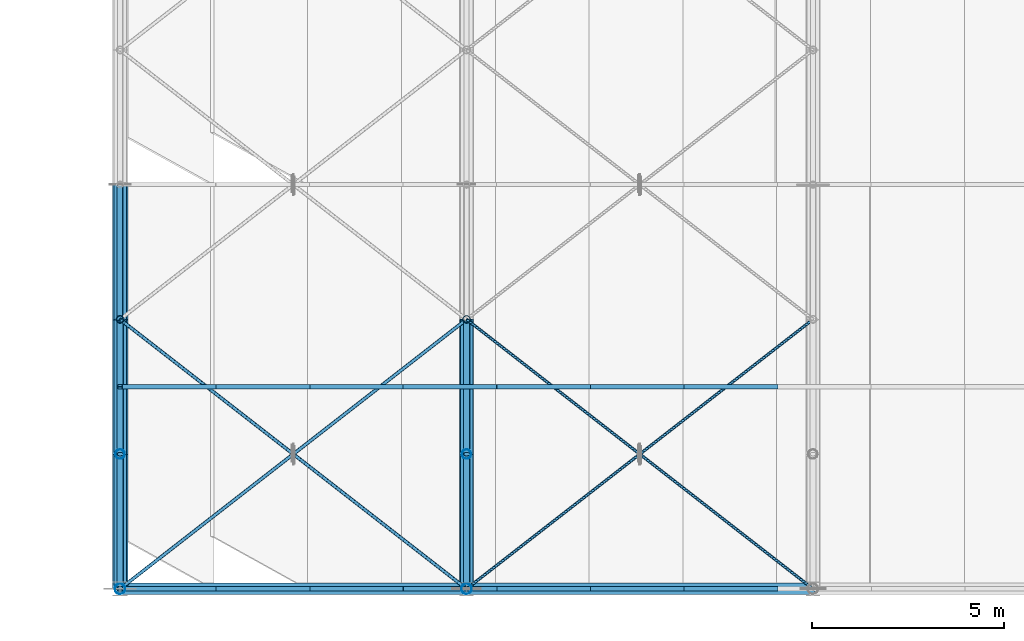
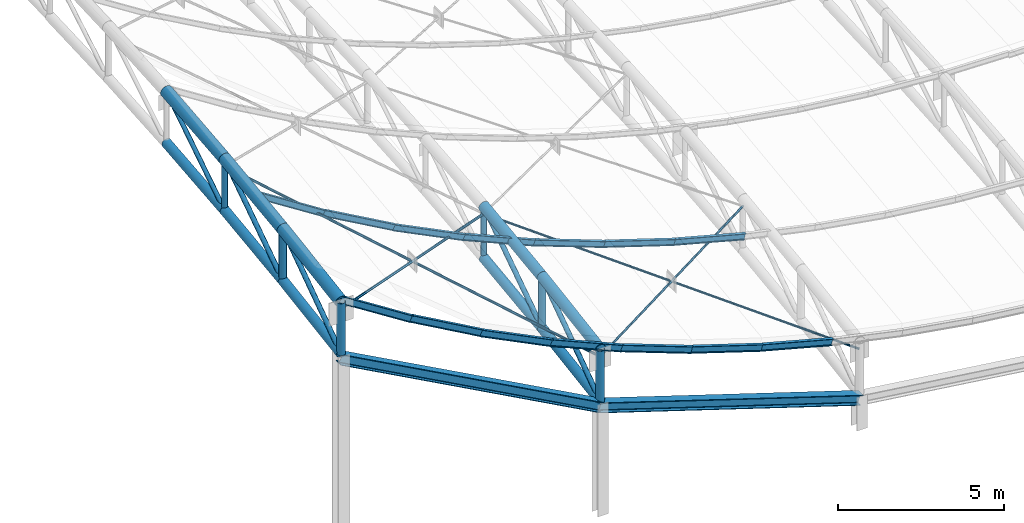
# One storey, part 17 of 262: 41 members, 2 beams.
"""IFC4 building model written with IfcOpenShell, lengths in metres."""

from ifc_helpers import new_model, si_unit, derived_unit, direction, frame, origin, origin_2d, place, context, subcontext, project, spatial, hollow_circle, i_section, extrude, material, material_profile, profile_set, type_object, element, save


model = new_model("IFC4")

# Units and contexts
model_context = context("Model", 3, precision=1e-05, world=origin(), true_north=direction((0.0, 1.0)))
body_context = subcontext(model_context, "Body", "Model", "MODEL_VIEW")
ifc_project = project(units=[si_unit("LENGTHUNIT", "METRE"), si_unit("AREAUNIT", "SQUARE_METRE"), si_unit("VOLUMEUNIT", "CUBIC_METRE"), si_unit("PLANEANGLEUNIT", "RADIAN"), si_unit("MASSUNIT", "GRAM", prefix="KILO"), derived_unit("THERMALTRANSMITTANCEUNIT", [(si_unit("POWERUNIT", "WATT"), 1), (si_unit("LENGTHUNIT", "METRE"), -2), (si_unit("THERMODYNAMICTEMPERATUREUNIT", "KELVIN"), -1)])], contexts=[model_context])

# Site, building, storey
site_placement = place(None, origin())
site = spatial("IfcSite", under=ifc_project, at=site_placement, CompositionType="ELEMENT")
building_placement = place(site_placement, origin())
building = spatial("IfcBuilding", under=site, at=building_placement, Name="Almenara Railside Exhibition Hall", CompositionType="ELEMENT")
storey_placement = place(building_placement, frame((0.0, 0.0, 21.699951171875)))
storey = spatial("IfcBuildingStorey", under=building, at=storey_placement, Name="RF", CompositionType="ELEMENT", Elevation=21.699951171875)

# Members
ifc_material = material(Name="Structural steel S355JR", Category="steel")
ifc_material_profile_1 = material_profile(ifc_material, hollow_circle(Radius=0.04443359375, WallThickness=0.00390625, at=origin_2d()), Name="CHS 88.9x4")
ifc_profile_set_1 = profile_set([ifc_material_profile_1], Name="Structural steel S355JR")
member_type_1 = type_object("IfcMemberType", Name="Canopy Tie Brace CHS 88.9x4 S355JR", PredefinedType="BRACE", material=ifc_profile_set_1)
member_1_placement = place(storey_placement, frame((3.0, 0.0, 0.6201171875), z_axis=(0.746885327861, 0.580910810559, -0.323581422832), x_axis=(-0.613940613515, 0.789352217376, 0.0)))
element("IfcMember", 1, at=member_1_placement, inside=storey, type_object=member_type_1, Name="MEM-WB-V4-WB-CHS89-00-00-C", PredefinedType="BRACE", context=body_context, shape_type="SweptSolid", body=[
    extrude(hollow_circle(Radius=0.04443359375, WallThickness=0.00390625, at=origin_2d()), origin(), (0.0, 0.0, 1.0), 12.050048828125),
])
for number, where, z_axis, x_axis, name in (
    (2, (3.0, 7.0, 1.6201171875), (0.701064482229, -0.545276633311, -0.459545411163), (0.613943600844, 0.789349893889, 0.0), "MEM-WB-V4-WB-CHS89-00-00-S1"),
    (3, (7.533935546875, 3.4736328125, -1.351806640625), (0.701076828983, -0.545286236417, -0.45951517955), (0.613943600844, 0.789349893889, 0.0), "MEM-WB-V4-WB-CHS89-00-00-S2"),
):
    element("IfcMember", number, at=place(storey_placement, frame(where, z_axis=z_axis, x_axis=x_axis)), inside=storey, type_object=member_type_1, Name=name, PredefinedType="BRACE", context=body_context, shape_type="SweptSolid", body=[
        extrude(hollow_circle(Radius=0.04443359375, WallThickness=0.00390625, at=origin_2d()), origin(), (0.0, 0.0, 1.0), 6.370361328125),
    ])
ifc_material_profile_2 = material_profile(ifc_material, i_section(OverallWidth=0.110107421875, OverallDepth=0.219970703125, WebThickness=0.005859375, FlangeThickness=0.00927734375, FilletRadius=0.011962890625, at=origin_2d()), Name="IPE 220")
ifc_profile_set_2 = profile_set([ifc_material_profile_2], Name="Structural steel S355JR")
member_type_2 = type_object("IfcMemberType", Name="Heavy Hall Roof Purlin IPE 220 S355JR", PredefinedType="PURLIN", material=ifc_profile_set_2)
member_2_placement = place(storey_placement, frame((3.0, 5.25, 1.6611328125), z_axis=(0.842226955435, 0.0, -0.539123135785), x_axis=(0.0, 1.0, 0.0)))
element("IfcMember", 4, at=member_2_placement, inside=storey, type_object=member_type_2, Name="MEM-PR-V4-PR-IPE220-01-00", PredefinedType="PURLIN", context=body_context, shape_type="SweptSolid", body=[
    extrude(i_section(OverallWidth=0.110107421875, OverallDepth=0.219970703125, WebThickness=0.005859375, FlangeThickness=0.00927734375, FilletRadius=0.011962890625, at=origin_2d()), origin(), (0.0, 0.0, 1.0), 2.893310546875),
])
member_3_placement = place(storey_placement, frame((5.436767578125, 5.25, 0.112548828125), z_axis=(0.870483227181, 0.0, -0.492198081261), x_axis=(0.0, 1.0, 0.0)))
element("IfcMember", 5, at=member_3_placement, inside=storey, type_object=member_type_2, Name="MEM-PR-V4-PR-IPE220-01-01", PredefinedType="PURLIN", context=body_context, shape_type="SweptSolid", body=[
    extrude(i_section(OverallWidth=0.110107421875, OverallDepth=0.219970703125, WebThickness=0.005859375, FlangeThickness=0.00927734375, FilletRadius=0.011962890625, at=origin_2d()), origin(), (0.0, 0.0, 1.0), 2.799072265625),
])
member_4_placement = place(storey_placement, frame((7.873291015625, 5.25, -1.272705078125), z_axis=(0.895376074457, 0.0, -0.445310773831), x_axis=(0.0, 1.0, 0.0)))
element("IfcMember", 6, at=member_4_placement, inside=storey, type_object=member_type_2, Name="MEM-PR-V4-PR-IPE220-01-02", PredefinedType="PURLIN", context=body_context, shape_type="SweptSolid", body=[
    extrude(i_section(OverallWidth=0.110107421875, OverallDepth=0.219970703125, WebThickness=0.005859375, FlangeThickness=0.00927734375, FilletRadius=0.011962890625, at=origin_2d()), origin(), (0.0, 0.0, 1.0), 2.721435546875),
])
member_5_placement = place(storey_placement, frame((10.31005859375, 5.25, -2.4765625), z_axis=(0.917189812532, 0.0, -0.398450558775), x_axis=(0.0, 1.0, 0.0)))
element("IfcMember", 7, at=member_5_placement, inside=storey, type_object=member_type_2, Name="MEM-PR-V4-PR-IPE220-01-03", PredefinedType="PURLIN", context=body_context, shape_type="SweptSolid", body=[
    extrude(i_section(OverallWidth=0.110107421875, OverallDepth=0.219970703125, WebThickness=0.005859375, FlangeThickness=0.00927734375, FilletRadius=0.011962890625, at=origin_2d()), origin(), (0.0, 0.0, 1.0), 2.65673828125),
])
member_6_placement = place(storey_placement, frame((12.746826171875, 5.25, -3.5283203125), z_axis=(0.936171044044, 0.0, -0.351544842508), x_axis=(0.0, 1.0, 0.0)))
element("IfcMember", 8, at=member_6_placement, inside=storey, type_object=member_type_2, Name="MEM-PR-V4-PR-IPE220-01-04", PredefinedType="PURLIN", context=body_context, shape_type="SweptSolid", body=[
    extrude(i_section(OverallWidth=0.110107421875, OverallDepth=0.219970703125, WebThickness=0.005859375, FlangeThickness=0.00927734375, FilletRadius=0.011962890625, at=origin_2d()), origin(), (0.0, 0.0, 1.0), 2.60302734375),
])
member_7_placement = place(storey_placement, frame((15.18359375, 5.25, -4.437744140625), z_axis=(0.952440767254, 0.0, -0.304723784553), x_axis=(0.0, 1.0, 0.0)))
element("IfcMember", 9, at=member_7_placement, inside=storey, type_object=member_type_2, Name="MEM-PR-V4-PR-IPE220-01-05", PredefinedType="PURLIN", context=body_context, shape_type="SweptSolid", body=[
    extrude(i_section(OverallWidth=0.110107421875, OverallDepth=0.219970703125, WebThickness=0.005859375, FlangeThickness=0.00927734375, FilletRadius=0.011962890625, at=origin_2d()), origin(), (0.0, 0.0, 1.0), 2.55810546875),
])
member_8_placement = place(storey_placement, frame((17.6201171875, 5.25, -5.212646484375), z_axis=(0.966201190487, 0.0, -0.257789176462), x_axis=(0.0, 1.0, 0.0)))
element("IfcMember", 10, at=member_8_placement, inside=storey, type_object=member_type_2, Name="MEM-PR-V4-PR-IPE220-01-06", PredefinedType="PURLIN", context=body_context, shape_type="SweptSolid", body=[
    extrude(i_section(OverallWidth=0.110107421875, OverallDepth=0.219970703125, WebThickness=0.005859375, FlangeThickness=0.00927734375, FilletRadius=0.011962890625, at=origin_2d()), origin(), (0.0, 0.0, 1.0), 2.52197265625),
])
ifc_material_profile_3 = material_profile(ifc_material, hollow_circle(Radius=0.0380859375, WallThickness=0.003662109375, at=origin_2d()), Name="CHS 76.1x3.6")
ifc_profile_set_3 = profile_set([ifc_material_profile_3], Name="Structural steel S355JR")
member_type_3 = type_object("IfcMemberType", Name="Lantern Cross-Tie Brace CHS 76.1x3.6 S355JR", PredefinedType="BRACE", material=ifc_profile_set_3)
member_9_placement = place(storey_placement, frame((12.0, 0.0, -4.279052734375), z_axis=(0.778927955541, 0.60583285431, -0.161980840581), x_axis=(-0.613940613515, 0.789352217376, 0.0)))
element("IfcMember", 11, at=member_9_placement, inside=storey, type_object=member_type_3, Name="MEM-WB-V4-WB-CHS76-01-00-C", PredefinedType="BRACE", context=body_context, shape_type="SweptSolid", body=[
    extrude(hollow_circle(Radius=0.0380859375, WallThickness=0.003662109375, at=origin_2d()), origin(), (0.0, 0.0, 1.0), 11.554443359375),
])
for number, where, z_axis, x_axis, name in (
    (12, (12.0, 7.0, -3.279052734375), (0.747436354234, -0.581352998901, -0.321508300108), (0.613949570528, 0.789345250729, 0.0), "MEM-WB-V4-WB-CHS76-01-00-S1"),
    (13, (16.531494140625, 3.4755859375, -5.228271484375), (0.74742654043, -0.581345365763, -0.321544915006), (0.613949570528, 0.789345250729, 0.0), "MEM-WB-V4-WB-CHS76-01-00-S2"),
):
    element("IfcMember", number, at=place(storey_placement, frame(where, z_axis=z_axis, x_axis=x_axis)), inside=storey, type_object=member_type_3, Name=name, PredefinedType="BRACE", context=body_context, shape_type="SweptSolid", body=[
        extrude(hollow_circle(Radius=0.0380859375, WallThickness=0.003662109375, at=origin_2d()), origin(), (0.0, 0.0, 1.0), 5.978515625),
    ])
ifc_material_profile_4 = material_profile(ifc_material, hollow_circle(Radius=0.203125, WallThickness=0.012451171875, at=origin_2d()), Name="CHS 406.4x12.5")
ifc_profile_set_4 = profile_set([ifc_material_profile_4], Name="Structural steel S355JR")
member_type_4 = type_object("IfcMemberType", Name="Plenary Gable Top Chord CHS 406.4x12.5 S355JR", PredefinedType="CHORD", material=ifc_profile_set_4)
member_10_placement = place(storey_placement, frame((3.0, 0.0, 0.900146484375), z_axis=(0.0, 0.987885578074, 0.155184034725), x_axis=(-1.0, 0.0, 0.0)))
element("IfcMember", 14, at=member_10_placement, inside=storey, type_object=member_type_4, Name="MEM-TC-V4-00-00", PredefinedType="CHORD", context=body_context, shape_type="SweptSolid", body=[
    extrude(hollow_circle(Radius=0.203125, WallThickness=0.012451171875, at=origin_2d()), origin(), (0.0, 0.0, 1.0), 3.54296875),
])
member_11_placement = place(storey_placement, frame((3.0, 3.5, 1.449951171875), z_axis=(0.0, 0.991828773415, 0.127576189884), x_axis=(-1.0, 0.0, 0.0)))
element("IfcMember", 15, at=member_11_placement, inside=storey, type_object=member_type_4, Name="MEM-TC-V4-00-01", PredefinedType="CHORD", context=body_context, shape_type="SweptSolid", body=[
    extrude(hollow_circle(Radius=0.203125, WallThickness=0.012451171875, at=origin_2d()), origin(), (0.0, 0.0, 1.0), 3.52880859375),
])
member_12_placement = place(storey_placement, frame((3.0, 7.0, 1.900146484375), z_axis=(0.0, 0.995041312637, 0.09946248612), x_axis=(-1.0, 0.0, 0.0)))
element("IfcMember", 16, at=member_12_placement, inside=storey, type_object=member_type_4, Name="MEM-TC-V4-00-02", PredefinedType="CHORD", context=body_context, shape_type="SweptSolid", body=[
    extrude(hollow_circle(Radius=0.203125, WallThickness=0.012451171875, at=origin_2d()), origin(), (0.0, 0.0, 1.0), 3.517333984375),
])
ifc_material_profile_5 = material_profile(ifc_material, hollow_circle(Radius=0.161865234375, WallThickness=0.010009765625, at=origin_2d()), Name="CHS 323.9x10")
ifc_profile_set_5 = profile_set([ifc_material_profile_5], Name="Structural steel S355JR")
member_type_5 = type_object("IfcMemberType", Name="Plenary Truss Bottom Chord CHS 323.9x10 S355JR", PredefinedType="CHORD", material=ifc_profile_set_5)
member_13_placement = place(storey_placement, frame((3.0, 0.0, -1.0), z_axis=(0.0, 0.987875011802, 0.155251283593), x_axis=(-1.0, 0.0, 0.0)))
element("IfcMember", 17, at=member_13_placement, inside=storey, type_object=member_type_5, Name="MEM-BC-V4-00-00", PredefinedType="CHORD", context=body_context, shape_type="SweptSolid", body=[
    extrude(hollow_circle(Radius=0.161865234375, WallThickness=0.010009765625, at=origin_2d()), origin(), (0.0, 0.0, 1.0), 3.54296875),
])
member_14_placement = place(storey_placement, frame((3.0, 3.5, -0.449951171875), z_axis=(0.0, 0.991837525329, 0.127508130523), x_axis=(-1.0, 0.0, 0.0)))
element("IfcMember", 18, at=member_14_placement, inside=storey, type_object=member_type_5, Name="MEM-BC-V4-00-01", PredefinedType="CHORD", context=body_context, shape_type="SweptSolid", body=[
    extrude(hollow_circle(Radius=0.161865234375, WallThickness=0.010009765625, at=origin_2d()), origin(), (0.0, 0.0, 1.0), 3.52880859375),
])
member_15_placement = place(storey_placement, frame((3.0, 7.0, 0.0), z_axis=(0.0, 0.995034440995, 0.099531207337), x_axis=(-1.0, 0.0, 0.0)))
element("IfcMember", 19, at=member_15_placement, inside=storey, type_object=member_type_5, Name="MEM-BC-V4-00-02", PredefinedType="CHORD", context=body_context, shape_type="SweptSolid", body=[
    extrude(hollow_circle(Radius=0.161865234375, WallThickness=0.010009765625, at=origin_2d()), origin(), (0.0, 0.0, 1.0), 3.517578125),
])
member_16_placement = place(storey_placement, frame((12.0, 0.0, -5.899169921875), z_axis=(0.0, 0.987875011802, 0.155251283593), x_axis=(-1.0, 0.0, 0.0)))
element("IfcMember", 20, at=member_16_placement, inside=storey, type_object=member_type_5, Name="MEM-BC-V4-01-00", PredefinedType="CHORD", context=body_context, shape_type="SweptSolid", body=[
    extrude(hollow_circle(Radius=0.161865234375, WallThickness=0.010009765625, at=origin_2d()), origin(), (0.0, 0.0, 1.0), 3.54296875),
])
member_17_placement = place(storey_placement, frame((12.0, 3.5, -5.34912109375), z_axis=(0.0, 0.991837525329, 0.127508130523), x_axis=(-1.0, 0.0, 0.0)))
element("IfcMember", 21, at=member_17_placement, inside=storey, type_object=member_type_5, Name="MEM-BC-V4-01-01", PredefinedType="CHORD", context=body_context, shape_type="SweptSolid", body=[
    extrude(hollow_circle(Radius=0.161865234375, WallThickness=0.010009765625, at=origin_2d()), origin(), (0.0, 0.0, 1.0), 3.52880859375),
])
ifc_material_profile_6 = material_profile(ifc_material, hollow_circle(Radius=0.177734375, WallThickness=0.012451171875, at=origin_2d()), Name="CHS 355.6x12.5")
ifc_profile_set_6 = profile_set([ifc_material_profile_6], Name="Structural steel S355JR")
member_type_6 = type_object("IfcMemberType", Name="Plenary Truss Top Chord CHS 355.6x12.5 S355JR", PredefinedType="CHORD", material=ifc_profile_set_6)
member_18_placement = place(storey_placement, frame((12.0, 0.0, -3.9990234375), z_axis=(0.0, 0.987875011802, 0.155251283593), x_axis=(-1.0, 0.0, 0.0)))
element("IfcMember", 22, at=member_18_placement, inside=storey, type_object=member_type_6, Name="MEM-TC-V4-01-00", PredefinedType="CHORD", context=body_context, shape_type="SweptSolid", body=[
    extrude(hollow_circle(Radius=0.177734375, WallThickness=0.012451171875, at=origin_2d()), origin(), (0.0, 0.0, 1.0), 3.54296875),
])
member_19_placement = place(storey_placement, frame((12.0, 3.5, -3.448974609375), z_axis=(0.0, 0.991837525329, 0.127508130523), x_axis=(-1.0, 0.0, 0.0)))
element("IfcMember", 23, at=member_19_placement, inside=storey, type_object=member_type_6, Name="MEM-TC-V4-01-01", PredefinedType="CHORD", context=body_context, shape_type="SweptSolid", body=[
    extrude(hollow_circle(Radius=0.177734375, WallThickness=0.012451171875, at=origin_2d()), origin(), (0.0, 0.0, 1.0), 3.52880859375),
])
ifc_material_profile_7 = material_profile(ifc_material, i_section(OverallWidth=0.1201171875, OverallDepth=0.239990234375, WebThickness=0.006103515625, FlangeThickness=0.009765625, FilletRadius=0.014892578125, at=origin_2d()), Name="IPE 240")
ifc_profile_set_7 = profile_set([ifc_material_profile_7], Name="Structural steel S355JR")
member_type_7 = type_object("IfcMemberType", Name="Scroll Roof Purlin IPE 240 S355JR", PredefinedType="PURLIN", material=ifc_profile_set_7)
member_20_placement = place(storey_placement, frame((3.0, 0.0, 0.970458984375), z_axis=(0.842265270347, 0.0, -0.53906327492), x_axis=(0.0, 1.0, 0.0)))
element("IfcMember", 24, at=member_20_placement, inside=storey, type_object=member_type_7, Name="MEM-PR-V4-PR-IPE240-00-00", PredefinedType="PURLIN", context=body_context, shape_type="SweptSolid", body=[
    extrude(i_section(OverallWidth=0.1201171875, OverallDepth=0.239990234375, WebThickness=0.006103515625, FlangeThickness=0.009765625, FilletRadius=0.014892578125, at=origin_2d()), origin(), (0.0, 0.0, 1.0), 2.89306640625),
])
member_21_placement = place(storey_placement, frame((5.436767578125, 0.0, -0.577392578125), z_axis=(0.870445855666, 0.0, -0.492264169277), x_axis=(0.0, 1.0, 0.0)))
element("IfcMember", 25, at=member_21_placement, inside=storey, type_object=member_type_7, Name="MEM-PR-V4-PR-IPE240-00-01", PredefinedType="PURLIN", context=body_context, shape_type="SweptSolid", body=[
    extrude(i_section(OverallWidth=0.1201171875, OverallDepth=0.239990234375, WebThickness=0.006103515625, FlangeThickness=0.009765625, FilletRadius=0.014892578125, at=origin_2d()), origin(), (0.0, 0.0, 1.0), 2.799072265625),
])
member_22_placement = place(storey_placement, frame((7.873291015625, 0.0, -1.962646484375), z_axis=(0.895376074457, 0.0, -0.445310773831), x_axis=(0.0, 1.0, 0.0)))
element("IfcMember", 26, at=member_22_placement, inside=storey, type_object=member_type_7, Name="MEM-PR-V4-PR-IPE240-00-02", PredefinedType="PURLIN", context=body_context, shape_type="SweptSolid", body=[
    extrude(i_section(OverallWidth=0.1201171875, OverallDepth=0.239990234375, WebThickness=0.006103515625, FlangeThickness=0.009765625, FilletRadius=0.014892578125, at=origin_2d()), origin(), (0.0, 0.0, 1.0), 2.721435546875),
])
member_23_placement = place(storey_placement, frame((10.31005859375, 0.0, -3.166015625), z_axis=(0.917189812532, 0.0, -0.398450558775), x_axis=(0.0, 1.0, 0.0)))
element("IfcMember", 27, at=member_23_placement, inside=storey, type_object=member_type_7, Name="MEM-PR-V4-PR-IPE240-00-03", PredefinedType="PURLIN", context=body_context, shape_type="SweptSolid", body=[
    extrude(i_section(OverallWidth=0.1201171875, OverallDepth=0.239990234375, WebThickness=0.006103515625, FlangeThickness=0.009765625, FilletRadius=0.014892578125, at=origin_2d()), origin(), (0.0, 0.0, 1.0), 2.65673828125),
])
member_24_placement = place(storey_placement, frame((12.746826171875, 0.0, -4.217529296875), z_axis=(0.936171044044, 0.0, -0.351544842508), x_axis=(0.0, 1.0, 0.0)))
element("IfcMember", 28, at=member_24_placement, inside=storey, type_object=member_type_7, Name="MEM-PR-V4-PR-IPE240-00-04", PredefinedType="PURLIN", context=body_context, shape_type="SweptSolid", body=[
    extrude(i_section(OverallWidth=0.1201171875, OverallDepth=0.239990234375, WebThickness=0.006103515625, FlangeThickness=0.009765625, FilletRadius=0.014892578125, at=origin_2d()), origin(), (0.0, 0.0, 1.0), 2.60302734375),
])
member_25_placement = place(storey_placement, frame((15.18359375, 0.0, -5.126708984375), z_axis=(0.952440767254, 0.0, -0.304723784553), x_axis=(0.0, 1.0, 0.0)))
element("IfcMember", 29, at=member_25_placement, inside=storey, type_object=member_type_7, Name="MEM-PR-V4-PR-IPE240-00-05", PredefinedType="PURLIN", context=body_context, shape_type="SweptSolid", body=[
    extrude(i_section(OverallWidth=0.1201171875, OverallDepth=0.239990234375, WebThickness=0.006103515625, FlangeThickness=0.009765625, FilletRadius=0.014892578125, at=origin_2d()), origin(), (0.0, 0.0, 1.0), 2.55810546875),
])
member_26_placement = place(storey_placement, frame((17.6201171875, 0.0, -5.901611328125), z_axis=(0.966201190487, 0.0, -0.257789176462), x_axis=(0.0, 1.0, 0.0)))
element("IfcMember", 30, at=member_26_placement, inside=storey, type_object=member_type_7, Name="MEM-PR-V4-PR-IPE240-00-06", PredefinedType="PURLIN", context=body_context, shape_type="SweptSolid", body=[
    extrude(i_section(OverallWidth=0.1201171875, OverallDepth=0.239990234375, WebThickness=0.006103515625, FlangeThickness=0.009765625, FilletRadius=0.014892578125, at=origin_2d()), origin(), (0.0, 0.0, 1.0), 2.52197265625),
])

# Beams
ifc_material_profile_8 = material_profile(ifc_material, i_section(OverallWidth=0.300048828125, OverallDepth=0.360107421875, WebThickness=0.012451171875, FlangeThickness=0.0224609375, FilletRadius=0.027099609375, at=origin_2d()), Name="HEB 360")
ifc_profile_set_8 = profile_set([ifc_material_profile_8], Name="Structural steel S355JR")
beam_type = type_object("IfcBeamType", Name="Steel Portal Girder HEB 360 S355JR", PredefinedType="USERDEFINED", material=ifc_profile_set_8)
beam_1_placement = place(storey_placement, frame((3.0, 0.0, -1.179931640625), z_axis=(0.878302261666, 0.0, -0.478105780296), x_axis=(0.0, 1.0, 0.0)))
element("IfcBeam", 31, at=beam_1_placement, inside=storey, type_object=beam_type, Name="Beam 0989", ObjectType="GIRDER", PredefinedType="USERDEFINED", context=body_context, shape_type="SweptSolid", body=[
    extrude(i_section(OverallWidth=0.300048828125, OverallDepth=0.360107421875, WebThickness=0.012451171875, FlangeThickness=0.0224609375, FilletRadius=0.027099609375, at=origin_2d()), origin(), (0.0, 0.0, 1.0), 10.2470703125),
])
beam_2_placement = place(storey_placement, frame((12.0, 0.0, -6.0791015625), z_axis=(0.952689944457, 0.0, -0.303943859504), x_axis=(0.0, 1.0, 0.0)))
element("IfcBeam", 32, at=beam_2_placement, inside=storey, type_object=beam_type, Name="Beam 0991", ObjectType="GIRDER", PredefinedType="USERDEFINED", context=body_context, shape_type="SweptSolid", body=[
    extrude(i_section(OverallWidth=0.300048828125, OverallDepth=0.360107421875, WebThickness=0.012451171875, FlangeThickness=0.0224609375, FilletRadius=0.027099609375, at=origin_2d()), origin(), (0.0, 0.0, 1.0), 9.447021484375),
])

# Members
ifc_material_profile_9 = material_profile(ifc_material, hollow_circle(Radius=0.084228515625, WallThickness=0.006103515625, at=origin_2d()), Name="CHS 168.3x6")
ifc_profile_set_9 = profile_set([ifc_material_profile_9], Name="Structural steel S355JR")
member_type_8 = type_object("IfcMemberType", Name="Truss End Diagonal CHS 168.3x6 S355JR", PredefinedType="BRACE", material=ifc_profile_set_9)
member_27_placement = place(storey_placement, frame((3.0, 0.0, -1.0), z_axis=(0.0, 0.819237289855, 0.573454673807), x_axis=(-1.0, 0.0, 0.0)))
element("IfcMember", 33, at=member_27_placement, inside=storey, type_object=member_type_8, Name="MEM-TD-V4-00-00", PredefinedType="BRACE", context=body_context, shape_type="SweptSolid", body=[
    extrude(hollow_circle(Radius=0.084228515625, WallThickness=0.006103515625, at=origin_2d()), origin(), (0.0, 0.0, 1.0), 4.272216796875),
])
member_28_placement = place(storey_placement, frame((3.0, 3.5, -0.449951171875), z_axis=(0.0, 0.830210410422, 0.557450154208), x_axis=(-1.0, 0.0, 0.0)))
element("IfcMember", 34, at=member_28_placement, inside=storey, type_object=member_type_8, Name="MEM-TD-V4-00-01", PredefinedType="BRACE", context=body_context, shape_type="SweptSolid", body=[
    extrude(hollow_circle(Radius=0.084228515625, WallThickness=0.006103515625, at=origin_2d()), origin(), (0.0, 0.0, 1.0), 4.2158203125),
])
member_29_placement = place(storey_placement, frame((12.0, 0.0, -5.899169921875), z_axis=(0.0, 0.819210443161, 0.573493025081), x_axis=(-1.0, 0.0, 0.0)))
element("IfcMember", 35, at=member_29_placement, inside=storey, type_object=member_type_8, Name="MEM-TD-V4-01-00", PredefinedType="BRACE", context=body_context, shape_type="SweptSolid", body=[
    extrude(hollow_circle(Radius=0.084228515625, WallThickness=0.006103515625, at=origin_2d()), origin(), (0.0, 0.0, 1.0), 4.2724609375),
])
member_30_placement = place(storey_placement, frame((12.0, 3.5, -5.34912109375), z_axis=(0.0, 0.830210410422, 0.557450154208), x_axis=(-1.0, 0.0, 0.0)))
element("IfcMember", 36, at=member_30_placement, inside=storey, type_object=member_type_8, Name="MEM-TD-V4-01-01", PredefinedType="BRACE", context=body_context, shape_type="SweptSolid", body=[
    extrude(hollow_circle(Radius=0.084228515625, WallThickness=0.006103515625, at=origin_2d()), origin(), (0.0, 0.0, 1.0), 4.2158203125),
])
ifc_material_profile_10 = material_profile(ifc_material, hollow_circle(Radius=0.122314453125, WallThickness=0.008056640625, at=origin_2d()), Name="CHS 244.5x8")
ifc_profile_set_10 = profile_set([ifc_material_profile_10], Name="Structural steel S355JR")
member_type_9 = type_object("IfcMemberType", Name="Truss Haunch Vertical Strut CHS 244.5x8 S355JR", PredefinedType="BRACE", material=ifc_profile_set_10)
member_31_placement = place(storey_placement, frame((3.0, 3.5, -0.449951171875), z_axis=(0.0, 0.0, 1.0), x_axis=(1.0, 0.0, 0.0)))
element("IfcMember", 37, at=member_31_placement, inside=storey, type_object=member_type_9, Name="MEM-TV-V4-00-01", PredefinedType="BRACE", context=body_context, shape_type="SweptSolid", body=[
    extrude(hollow_circle(Radius=0.122314453125, WallThickness=0.008056640625, at=origin_2d()), origin(), (0.0, 0.0, 1.0), 1.89990234375),
])
member_32_placement = place(storey_placement, frame((12.0, 3.5, -5.34912109375), z_axis=(0.0, 0.0, 1.0), x_axis=(1.0, 0.0, 0.0)))
element("IfcMember", 38, at=member_32_placement, inside=storey, type_object=member_type_9, Name="MEM-TV-V4-01-01", PredefinedType="BRACE", context=body_context, shape_type="SweptSolid", body=[
    extrude(hollow_circle(Radius=0.122314453125, WallThickness=0.008056640625, at=origin_2d()), origin(), (0.0, 0.0, 1.0), 1.900146484375),
])
ifc_material_profile_11 = material_profile(ifc_material, hollow_circle(Radius=0.076171875, WallThickness=0.0048828125, at=origin_2d()), Name="CHS 152.4x5")
ifc_profile_set_11 = profile_set([ifc_material_profile_11], Name="Structural steel S355JR")
member_type_10 = type_object("IfcMemberType", Name="Truss Mid Diagonal CHS 152.4x5 S355JR", PredefinedType="BRACE", material=ifc_profile_set_11)
member_33_placement = place(storey_placement, frame((3.0, 7.0, 0.0), z_axis=(0.0, 0.841178475377, 0.540757591313), x_axis=(-1.0, 0.0, 0.0)))
element("IfcMember", 39, at=member_33_placement, inside=storey, type_object=member_type_10, Name="MEM-TD-V4-00-02", PredefinedType="BRACE", context=body_context, shape_type="SweptSolid", body=[
    extrude(hollow_circle(Radius=0.076171875, WallThickness=0.0048828125, at=origin_2d()), origin(), (0.0, 0.0, 1.0), 4.160888671875),
])
ifc_material_profile_12 = material_profile(ifc_material, hollow_circle(Radius=0.096923828125, WallThickness=0.00634765625, at=origin_2d()), Name="CHS 193.7x6.3")
ifc_profile_set_12 = profile_set([ifc_material_profile_12], Name="Structural steel S355JR")
member_type_11 = type_object("IfcMemberType", Name="Truss Standard Vertical Strut CHS 193.7x6.3 S355JR", PredefinedType="BRACE", material=ifc_profile_set_12)
for number, where, z_axis, x_axis, name in (
    (40, (3.0, 7.0, 0.0), (0.0, 0.0, 1.0), (1.0, 0.0, 0.0), "MEM-TV-V4-00-02"),
    (41, (12.0, 7.0, -4.899169921875), (0.0, 0.0, 1.0), (1.0, 0.0, 0.0), "MEM-TV-V4-01-02"),
):
    element("IfcMember", number, at=place(storey_placement, frame(where, z_axis=z_axis, x_axis=x_axis)), inside=storey, type_object=member_type_11, Name=name, PredefinedType="BRACE", context=body_context, shape_type="SweptSolid", body=[
        extrude(hollow_circle(Radius=0.096923828125, WallThickness=0.00634765625, at=origin_2d()), origin(), (0.0, 0.0, 1.0), 1.900146484375),
    ])
ifc_material_profile_13 = material_profile(ifc_material, hollow_circle(Radius=0.136474609375, WallThickness=0.008056640625, at=origin_2d()), Name="CHS 273x8")
ifc_profile_set_13 = profile_set([ifc_material_profile_13], Name="Structural steel S355JR")
member_type_12 = type_object("IfcMemberType", Name="Truss Support Vertical Strut CHS 273x8 S355JR", PredefinedType="BRACE", material=ifc_profile_set_13)
for number, where, z_axis, x_axis, name in (
    (42, (3.0, 0.0, -1.0), (0.0, 0.0, 1.0), (1.0, 0.0, 0.0), "MEM-TV-V4-00-00"),
    (43, (12.0, 0.0, -5.899169921875), (0.0, 0.0, 1.0), (1.0, 0.0, 0.0), "MEM-TV-V4-01-00"),
):
    element("IfcMember", number, at=place(storey_placement, frame(where, z_axis=z_axis, x_axis=x_axis)), inside=storey, type_object=member_type_12, Name=name, PredefinedType="BRACE", context=body_context, shape_type="SweptSolid", body=[
        extrude(hollow_circle(Radius=0.136474609375, WallThickness=0.008056640625, at=origin_2d()), origin(), (0.0, 0.0, 1.0), 1.900146484375),
    ])

save(model, "model.ifc")
